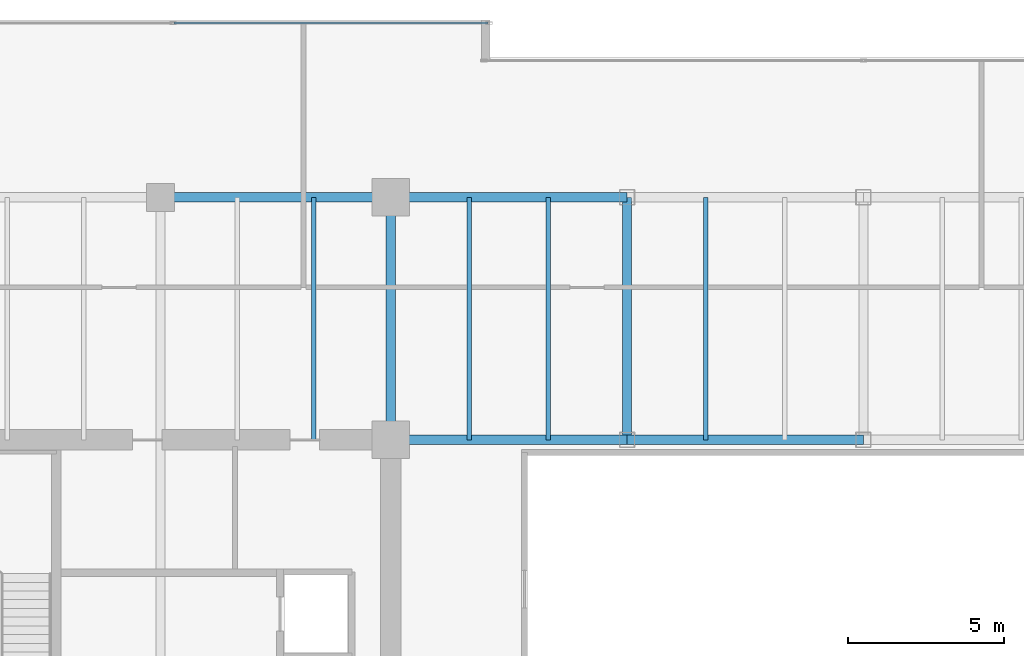
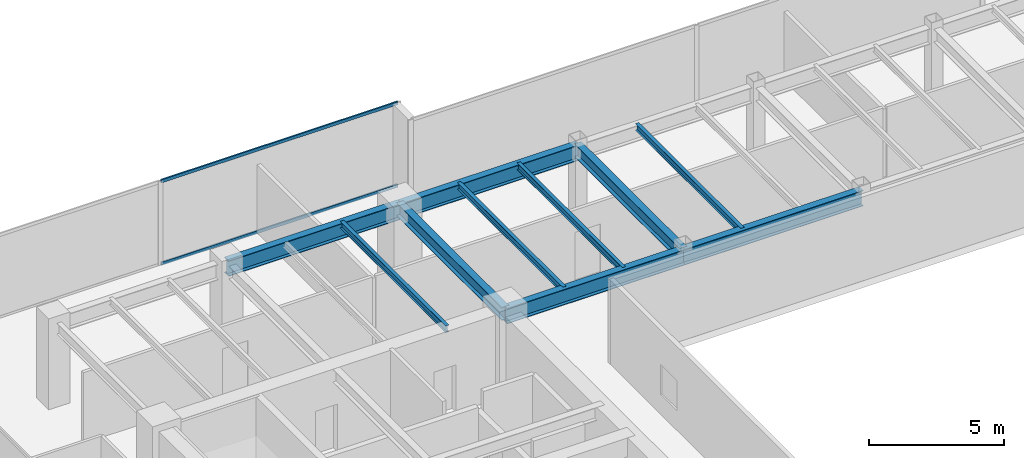
# One storey, part 15 of 30: 10 beams, 2 members, 1 element without a shape of its own.
"""IFC4 building model written with IfcOpenShell, lengths in metres."""

import ifcopenshell
import ifcopenshell.guid

model = None  # the IFC model being written
_history = None  # IfcOwnerHistory: only IFC2X3 demands one
_inside = {}  # id of a spatial element -> (the spatial element, [elements in it])
_under = {}  # id of a project, library or spatial element -> (it, [spatial elements below it])
_declared = {}  # id of a project -> (the project, [libraries it declares])
_typed = {}  # id of a type object -> (the type object, [elements of that type])
_made_of = {}  # id of a material, layer set ... -> (it, [elements and type objects made of it])


def new_model(schema):
    """Start an empty IFC model of exactly this schema.

    Asked for "IFC4X3", IfcOpenShell would pick the latest addendum, in which some entities
    have other attributes; the version numbers below select the first issue.
    IFC2X3 requires an IfcOwnerHistory on every rooted entity: one is made here for all.
    """
    global model, _history
    if schema == "IFC4X3":
        model = ifcopenshell.file(schema_version=(4, 3, 0, 0))
    else:
        model = ifcopenshell.file(schema=schema)
    _inside.clear()
    _under.clear()
    _declared.clear()
    _typed.clear()
    _made_of.clear()
    _history = None
    if model.schema == "IFC2X3":
        org = make("IfcOrganization", Name="unknown")
        user = make(
            "IfcPersonAndOrganization",
            ThePerson=make("IfcPerson", FamilyName="unknown"),
            TheOrganization=org,
        )
        app = make(
            "IfcApplication",
            ApplicationDeveloper=org,
            Version="unknown",
            ApplicationFullName="unknown",
            ApplicationIdentifier="unknown",
        )
        _history = make(
            "IfcOwnerHistory",
            OwningUser=user,
            OwningApplication=app,
            ChangeAction="ADDED",
            CreationDate=0,
        )
    return model


def make(cls, **values):
    """One entity of the class cls with the attributes given. An attribute that is None is left unset."""
    return model.create_entity(
        cls, **{name: value for name, value in values.items() if value is not None}
    )


def rooted(cls, **values):
    """An entity with a GlobalId (a new one), such as an element, a storey or a relation."""
    return make(cls, GlobalId=ifcopenshell.guid.new(), OwnerHistory=_history, **values)


def si_unit(unit_type, name, prefix=None):
    """IfcSIUnit, for example si_unit("LENGTHUNIT", "METRE", prefix="MILLI")."""
    return make("IfcSIUnit", UnitType=unit_type, Prefix=prefix, Name=name)


def assignment(units):
    """IfcUnitAssignment: the units of a project."""
    return None if units is None else make("IfcUnitAssignment", Units=units)


def point(xyz):
    """IfcCartesianPoint."""
    return None if xyz is None else make("IfcCartesianPoint", Coordinates=xyz)


def direction(xyz):
    """IfcDirection."""
    return None if xyz is None else make("IfcDirection", DirectionRatios=xyz)


def frame(location, z_axis=None, x_axis=None):
    """IfcAxis2Placement3D, a coordinate frame: its origin and axes. An axis left out is left unset."""
    return make(
        "IfcAxis2Placement3D",
        Location=point(location),
        Axis=direction(z_axis),
        RefDirection=direction(x_axis),
    )


def frame_2d(location, x_axis=None):
    """IfcAxis2Placement2D, a coordinate frame in the plane: its origin and x axis."""
    return make(
        "IfcAxis2Placement2D", Location=point(location), RefDirection=direction(x_axis)
    )


def origin():
    """The frame at (0, 0, 0) with its axes left unset."""
    return frame((0.0, 0.0, 0.0))


def origin_2d():
    """The frame at (0, 0) in the plane with its x axis left unset."""
    return frame_2d((0.0, 0.0))


def place(relative_to, where):
    """IfcLocalPlacement: puts the frame where relative to a parent placement (None: the world)."""
    return make(
        "IfcLocalPlacement", PlacementRelTo=relative_to, RelativePlacement=where
    )


def context(
    kind, dimensions, precision=None, world=None, true_north=None, identifier=None
):
    """IfcGeometricRepresentationContext, for example the 3D "Model" context."""
    return make(
        "IfcGeometricRepresentationContext",
        ContextIdentifier=identifier,
        ContextType=kind,
        CoordinateSpaceDimension=dimensions,
        Precision=precision,
        WorldCoordinateSystem=world,
        TrueNorth=true_north,
    )


def subcontext(parent, identifier, kind, view, scale=None):
    """IfcGeometricRepresentationSubContext, for example "Body" below "Model"."""
    return make(
        "IfcGeometricRepresentationSubContext",
        ContextIdentifier=identifier,
        ContextType=kind,
        ParentContext=parent,
        TargetScale=scale,
        TargetView=view,
    )


def project(units=None, contexts=None):
    """IfcProject with its units and contexts."""
    return rooted(
        "IfcProject",
        Name="project",
        RepresentationContexts=contexts,
        UnitsInContext=assignment(units),
    )


def spatial(cls, under=None, at=None, **own):
    """A site, building, storey or space (cls), placed at a placement, below another one or the project."""
    s = rooted(cls, ObjectPlacement=at, **own)
    if under is not None:
        _under.setdefault(under.id(), (under, []))[1].append(s)
    return s


def profile(cls, at=None, kind="AREA", **sizes):
    """A parametric profile (cls). Its sizes go by their IFC names, for example OverallWidth=200.0."""
    return make(cls, ProfileType=kind, Position=at, **sizes)


def hollow_rectangle(**sizes):
    """IfcRectangleHollowProfileDef."""
    return profile("IfcRectangleHollowProfileDef", **sizes)


def i_section(**sizes):
    """IfcIShapeProfileDef."""
    return profile("IfcIShapeProfileDef", **sizes)


def extrude(swept, where, along, depth):
    """IfcExtrudedAreaSolid: the profile swept, set in the frame where, extruded along a direction by depth."""
    return make(
        "IfcExtrudedAreaSolid",
        SweptArea=swept,
        Position=where,
        ExtrudedDirection=direction(along),
        Depth=depth,
    )


def shape(context_of_items, identifier, shape_type, items):
    """IfcShapeRepresentation: the items that make up one representation, for example the "Body"."""
    return make(
        "IfcShapeRepresentation",
        ContextOfItems=context_of_items,
        RepresentationIdentifier=identifier,
        RepresentationType=shape_type,
        Items=items,
    )


def source(mapping_origin, context_of_items, identifier, shape_type, items):
    """IfcRepresentationMap: a shape defined once, which mapped items show again and again."""
    return make(
        "IfcRepresentationMap",
        MappingOrigin=mapping_origin,
        MappedRepresentation=shape(context_of_items, identifier, shape_type, items),
    )


def transform(
    local_origin,
    x_axis=None,
    y_axis=None,
    z_axis=None,
    scale=None,
    scale2=None,
    scale3=None,
    uniform=True,
):
    """IfcCartesianTransformationOperator3D, or its non-uniform kind. x_axis, y_axis, z_axis: its Axis1, 2, 3."""
    if uniform:
        return make(
            "IfcCartesianTransformationOperator3D",
            Axis1=direction(x_axis),
            Axis2=direction(y_axis),
            LocalOrigin=point(local_origin),
            Scale=scale,
            Axis3=direction(z_axis),
        )
    return make(
        "IfcCartesianTransformationOperator3DnonUniform",
        Axis1=direction(x_axis),
        Axis2=direction(y_axis),
        LocalOrigin=point(local_origin),
        Scale=scale,
        Axis3=direction(z_axis),
        Scale2=scale2,
        Scale3=scale3,
    )


def mapped(mapping_source, mapping_target):
    """IfcMappedItem: shows the shape of a source again, moved by a transform."""
    return make(
        "IfcMappedItem", MappingSource=mapping_source, MappingTarget=mapping_target
    )


def material(Name=None, Category=None):
    """IfcMaterial."""
    return make("IfcMaterial", Name=Name, Category=Category)


def layer(
    of_material, thickness, ventilated=None, Name=None, Category=None, Priority=None
):
    """IfcMaterialLayer: one layer of a wall or slab, of a material (None: an air gap)."""
    return make(
        "IfcMaterialLayer",
        Material=of_material,
        LayerThickness=thickness,
        IsVentilated=ventilated,
        Name=Name,
        Category=Category,
        Priority=Priority,
    )


def layer_set(layers, Name=None):
    """IfcMaterialLayerSet."""
    return make("IfcMaterialLayerSet", MaterialLayers=layers, LayerSetName=Name)


def material_profile(
    of_material, cross_section, Name=None, Category=None, Priority=None
):
    """IfcMaterialProfile: a cross section and its material."""
    return make(
        "IfcMaterialProfile",
        Name=Name,
        Material=of_material,
        Profile=cross_section,
        Priority=Priority,
        Category=Category,
    )


def profile_set(profiles, Name=None, composite=None):
    """IfcMaterialProfileSet."""
    return make(
        "IfcMaterialProfileSet",
        Name=Name,
        MaterialProfiles=profiles,
        CompositeProfile=composite,
    )


def made_of(thing, what):
    """Note that an element or type object is made of a material, layer set ...; save() writes the relation."""
    if what is not None:
        _made_of.setdefault(what.id(), (what, []))[1].append(thing)
    return thing


def type_object(cls, material=None, **own):
    """A type object (cls), such as IfcWallType, which elements share."""
    return made_of(rooted(cls, **own), material)


def type_shapes(of_type, sources):
    """Give a type object the sources (RepresentationMaps) that its elements show as mapped items."""
    of_type.RepresentationMaps = sources


def element(
    cls,
    number,
    at=None,
    inside=None,
    cuts=None,
    type_object=None,
    material=None,
    context=None,
    identifier="Body",
    shape_type=None,
    held_by="IfcProductDefinitionShape",
    body=None,
    shapes=None,
    **own,
):
    """One element of the class cls, such as IfcWall. Its Tag is "e" and its number.

    at: its placement. inside: the storey or other place that contains it. cuts: it is an
    opening in that element (IfcRelVoidsElement). A single representation is given by context,
    identifier, shape_type and body (its items); several are given by shapes. held_by: the class
    of the entity that holds the representations. save() writes the other relations.
    """
    e = rooted(cls, Tag="e%d" % number, ObjectPlacement=at, **own)
    if body is not None:
        shapes = [shape(context, identifier, shape_type, body)]
    if shapes is not None:
        e.Representation = make(held_by, Representations=shapes)
    if inside is not None:
        _inside.setdefault(inside.id(), (inside, []))[1].append(e)
    if cuts is not None:
        rooted(
            "IfcRelVoidsElement", RelatingBuildingElement=cuts, RelatedOpeningElement=e
        )
    if type_object is not None:
        _typed.setdefault(type_object.id(), (type_object, []))[1].append(e)
    return made_of(e, material)


def aggregate(whole, parts):
    """IfcRelAggregates: a whole, such as a stair, and the parts it consists of."""
    return rooted("IfcRelAggregates", RelatingObject=whole, RelatedObjects=parts)


def save(model, path):
    """Write the relations noted so far, then the file.

    IfcRelAggregates (storeys below a building ...), IfcRelContainedInSpatialStructure (elements
    in a storey), IfcRelDefinesByType, IfcRelAssociatesMaterial and IfcRelDeclares: one each for
    every whole, place, type object, material and project.
    """
    for whole, parts in _under.values():
        aggregate(whole, parts)
    for where, things in _inside.values():
        rooted(
            "IfcRelContainedInSpatialStructure",
            RelatedElements=things,
            RelatingStructure=where,
        )
    for kind, things in _typed.values():
        rooted("IfcRelDefinesByType", RelatedObjects=things, RelatingType=kind)
    for what, things in _made_of.values():
        rooted("IfcRelAssociatesMaterial", RelatedObjects=things, RelatingMaterial=what)
    for by, libraries in _declared.values():
        rooted("IfcRelDeclares", RelatingContext=by, RelatedDefinitions=libraries)
    model.write(path)


model = new_model("IFC4")

# Units and contexts
model_context = context("Model", 3, precision=1e-05, world=origin(), true_north=direction((0.0, 1.0)))
body_context = subcontext(model_context, "Body", "Model", "MODEL_VIEW")
ifc_project = project(units=[si_unit("LENGTHUNIT", "METRE"), si_unit("AREAUNIT", "SQUARE_METRE"), si_unit("VOLUMEUNIT", "CUBIC_METRE"), si_unit("PLANEANGLEUNIT", "RADIAN"), si_unit("MASSUNIT", "GRAM", prefix="KILO")], contexts=[model_context])

# Site, building, storey
site_placement = place(None, origin())
site = spatial("IfcSite", under=ifc_project, at=site_placement, CompositionType="ELEMENT")
building_placement = place(site_placement, origin())
building = spatial("IfcBuilding", under=site, at=building_placement, Name="Haelvirn Gate Laboratories", CompositionType="ELEMENT")
storey_placement = place(building_placement, frame((0.0, 0.0, 162.5)))
storey = spatial("IfcBuildingStorey", under=building, at=storey_placement, Name="L39", CompositionType="ELEMENT", Elevation=162.5)

# Beams
ifc_material_1 = material(Name="Steel SM355", Category="steel")
ifc_material_profile_1 = material_profile(ifc_material_1, i_section(OverallWidth=0.300048828125, OverallDepth=0.699951171875, WebThickness=0.012939453125, FlangeThickness=0.02392578125, at=origin_2d()), Name="H-700x300x13x24")
ifc_profile_set_1 = profile_set([ifc_material_profile_1], Name="Steel SM355")
beam_type_1 = type_object("IfcBeamType", Name="BM-G-700", PredefinedType="BEAM", material=ifc_profile_set_1)
shared_shape_1 = source(origin(), body_context, "Body", "SweptSolid", [
    extrude(i_section(OverallWidth=0.300048828125, OverallDepth=0.699951171875, WebThickness=0.012939453125, FlangeThickness=0.02392578125, at=origin_2d()), origin(), (0.0, 0.0, 1.0), 7.39990234375),
])
beam_1_placement = place(storey_placement, frame((14.800048828125, 41.60009765625, 3.43994140625), z_axis=(1.0, 0.0, 0.0), x_axis=(0.0, 1.0, 0.0)))
element("IfcBeam", 1, at=beam_1_placement, inside=storey, type_object=beam_type_1, Name="L39 Primary Girder Y41.6 (14.8-22.2)", PredefinedType="BEAM", context=body_context, shape_type="MappedRepresentation", body=[
    mapped(shared_shape_1, transform((0.0, 0.0, 0.0), scale=1.0)),
])
shared_shape_2 = source(origin(), body_context, "Body", "SweptSolid", [
    extrude(i_section(OverallWidth=0.300048828125, OverallDepth=0.699951171875, WebThickness=0.012939453125, FlangeThickness=0.02392578125, at=origin_2d()), origin(), (0.0, 0.0, 1.0), 7.60009765625),
])
for number, where, z_axis, x_axis, name in (
    (2, (22.199951171875, 33.800048828125, 3.43994140625), (1.0, 0.0, 0.0), (0.0, 1.0, 0.0), "L39 Primary Girder Y33.8 (22.2-29.8)"),
    (3, (22.199951171875, 41.60009765625, 3.43994140625), (1.0, 0.0, 0.0), (0.0, 1.0, 0.0), "L39 Primary Girder Y41.6 (22.2-29.8)"),
):
    element("IfcBeam", number, at=place(storey_placement, frame(where, z_axis=z_axis, x_axis=x_axis)), inside=storey, type_object=beam_type_1, Name=name, PredefinedType="BEAM", context=body_context, shape_type="MappedRepresentation", body=[
        mapped(shared_shape_2, transform((0.0, 0.0, 0.0), scale=1.0)),
    ])
shared_shape_3 = source(origin(), body_context, "Body", "SweptSolid", [
    extrude(i_section(OverallWidth=0.300048828125, OverallDepth=0.699951171875, WebThickness=0.012939453125, FlangeThickness=0.02392578125, at=origin_2d()), origin(), (0.0, 0.0, 1.0), 7.599853515625),
])
type_shapes(beam_type_1, [shared_shape_1, shared_shape_2, shared_shape_3])
beam_2_placement = place(storey_placement, frame((29.800048828125, 33.800048828125, 3.43994140625), z_axis=(1.0, 0.0, 0.0), x_axis=(0.0, 1.0, 0.0)))
element("IfcBeam", 4, at=beam_2_placement, inside=storey, type_object=beam_type_1, Name="L39 Primary Girder Y33.8 (29.8-37.4)", PredefinedType="BEAM", context=body_context, shape_type="MappedRepresentation", body=[
    mapped(shared_shape_3, transform((0.0, 0.0, 0.0), scale=1.0)),
])
ifc_material_profile_2 = material_profile(ifc_material_1, i_section(OverallWidth=0.14990234375, OverallDepth=0.300048828125, WebThickness=0.006591796875, FlangeThickness=0.009033203125, at=origin_2d()), Name="H-300x150x6.5x9")
ifc_profile_set_2 = profile_set([ifc_material_profile_2], Name="Steel SM355")
beam_type_2 = type_object("IfcBeamType", Name="BM-J-300", PredefinedType="JOIST", material=ifc_profile_set_2)
shared_shape_4 = source(origin(), body_context, "Body", "SweptSolid", [
    extrude(i_section(OverallWidth=0.14990234375, OverallDepth=0.300048828125, WebThickness=0.006591796875, FlangeThickness=0.009033203125, at=origin_2d()), origin(), (0.0, 0.0, 1.0), 7.800048828125),
])
type_shapes(beam_type_2, [shared_shape_4])
for number, where, z_axis, x_axis, name in (
    (5, (19.72998046875, 33.800048828125, 3.639892578125), (0.0, 1.0, 0.0), (-1.0, 0.0, 0.0), "L39 Composite Lab Joist North X19.73"),
    (6, (24.72998046875, 33.800048828125, 3.639892578125), (0.0, 1.0, 0.0), (-1.0, 0.0, 0.0), "L39 Composite Lab Joist North X24.73"),
    (7, (27.27001953125, 33.800048828125, 3.639892578125), (0.0, 1.0, 0.0), (-1.0, 0.0, 0.0), "L39 Composite Lab Joist North X27.27"),
    (8, (32.330078125, 33.800048828125, 3.639892578125), (0.0, 1.0, 0.0), (-1.0, 0.0, 0.0), "L39 Composite Lab Joist North X32.33"),
):
    element("IfcBeam", number, at=place(storey_placement, frame(where, z_axis=z_axis, x_axis=x_axis)), inside=storey, type_object=beam_type_2, Name=name, PredefinedType="JOIST", context=body_context, shape_type="MappedRepresentation", body=[
        mapped(shared_shape_4, transform((0.0, 0.0, 0.0), scale=1.0)),
    ])
ifc_material_profile_3 = material_profile(ifc_material_1, i_section(OverallWidth=0.300048828125, OverallDepth=0.587890625, WebThickness=0.011962890625, FlangeThickness=0.02001953125, at=origin_2d()), Name="H-588x300x12x20")
ifc_profile_set_3 = profile_set([ifc_material_profile_3], Name="Steel SM355")
beam_type_3 = type_object("IfcBeamType", Name="BM-G-588", PredefinedType="BEAM", material=ifc_profile_set_3)
shared_shape_5 = source(origin(), body_context, "Body", "SweptSolid", [
    extrude(i_section(OverallWidth=0.300048828125, OverallDepth=0.587890625, WebThickness=0.011962890625, FlangeThickness=0.02001953125, at=origin_2d()), origin(), (0.0, 0.0, 1.0), 7.800048828125),
])
type_shapes(beam_type_3, [shared_shape_5])
for number, where, z_axis, x_axis, name in (
    (9, (22.199951171875, 33.800048828125, 3.49609375), (0.0, 1.0, 0.0), (-1.0, 0.0, 0.0), "L39 Frame Girder X22.2 (33.8-41.6)"),
    (10, (29.800048828125, 33.800048828125, 3.49609375), (0.0, 1.0, 0.0), (-1.0, 0.0, 0.0), "L39 Frame Girder X29.8 (33.8-41.6)"),
):
    element("IfcBeam", number, at=place(storey_placement, frame(where, z_axis=z_axis, x_axis=x_axis)), inside=storey, type_object=beam_type_3, Name=name, PredefinedType="BEAM", context=body_context, shape_type="MappedRepresentation", body=[
        mapped(shared_shape_5, transform((0.0, 0.0, 0.0), scale=1.0)),
    ])

# Curtain wall, members
ifc_material_2 = material(Name="Anodised bronze unitised aluminium & triple low-E glass", Category="aluminium")
ifc_layer = layer(ifc_material_2, 0.179931640625, Name="CW-SYS-3")
ifc_layer_set = layer_set([ifc_layer], Name="Anodised bronze unitised aluminium & triple low-E glass")
curtain_wall_type = type_object("IfcCurtainWallType", Name="CW-SYS-3", PredefinedType="NOTDEFINED", material=ifc_layer_set)
curtain_wall_placement = place(storey_placement, origin())
curtain_wall = element("IfcCurtainWall", 11, at=curtain_wall_placement, inside=storey, type_object=curtain_wall_type, Name="L39 Unitised Curtain Wall CW-L39-P0-E14-1", PredefinedType="NOTDEFINED")
ifc_material_3 = material(Name="Extruded aluminium 6063-T6 (anodised bronze)", Category="aluminium")
ifc_material_profile_4 = material_profile(ifc_material_3, hollow_rectangle(XDim=0.06494140625, YDim=0.139892578125, WallThickness=0.00390625, at=origin_2d()), Name="CWT-140x65x4")
ifc_profile_set_4 = profile_set([ifc_material_profile_4], Name="Extruded aluminium 6063-T6 (anodised bronze)")
member_type = type_object("IfcMemberType", Name="CWT-T140", PredefinedType="USERDEFINED", material=ifc_profile_set_4)
shared_shape_6 = source(origin(), body_context, "Body", "SweptSolid", [
    extrude(hollow_rectangle(XDim=0.06494140625, YDim=0.139892578125, WallThickness=0.00390625, at=origin_2d()), origin(), (0.0, 0.0, 1.0), 10.08740234375),
])
type_shapes(member_type, [shared_shape_6])
member_1_placement = place(storey_placement, frame((15.237548828125, 47.199951171875, 0.032470703125), z_axis=(1.0, 0.0, 0.0), x_axis=(0.0, 1.0, 0.0)))
member_1 = element("IfcMember", 12, at=member_1_placement, type_object=member_type, Name="CW3 transom 2.1", ObjectType="TRANSOM", PredefinedType="USERDEFINED", context=body_context, shape_type="MappedRepresentation", body=[
    mapped(shared_shape_6, transform((0.0, 0.0, 0.0), scale=1.0)),
])
member_2_placement = place(storey_placement, frame((15.237548828125, 47.199951171875, 3.757568359375), z_axis=(1.0, 0.0, 0.0), x_axis=(0.0, 1.0, 0.0)))
member_2 = element("IfcMember", 13, at=member_2_placement, type_object=member_type, Name="CW3 transom 2.2", ObjectType="TRANSOM", PredefinedType="USERDEFINED", context=body_context, shape_type="MappedRepresentation", body=[
    mapped(shared_shape_6, transform((0.0, 0.0, 0.0), scale=1.0)),
])
aggregate(curtain_wall, [member_1, member_2])

save(model, "model.ifc")
